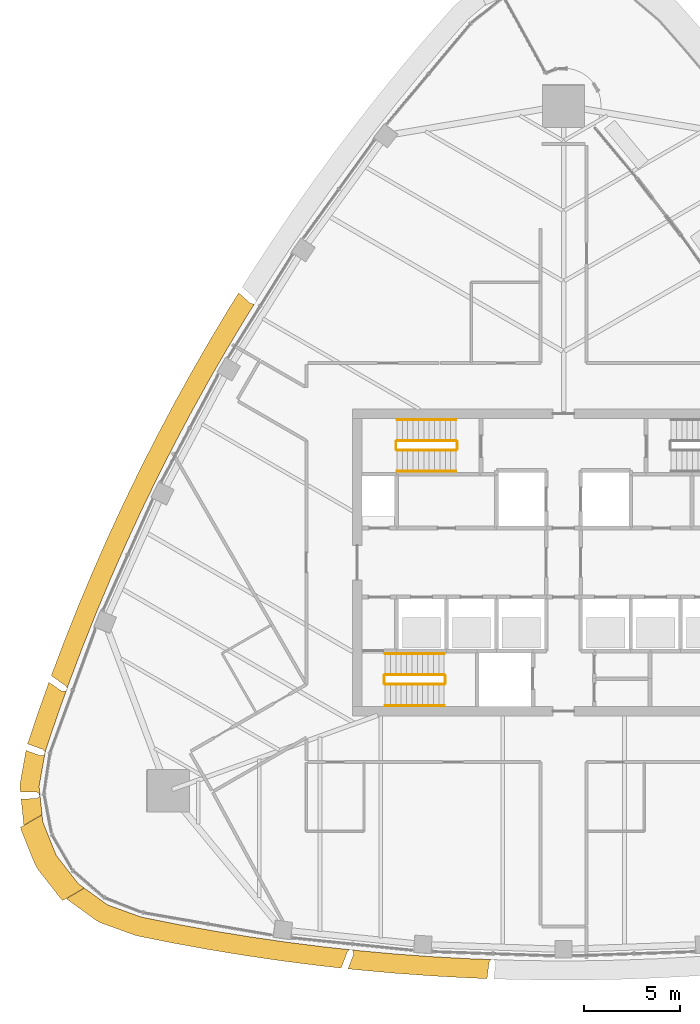
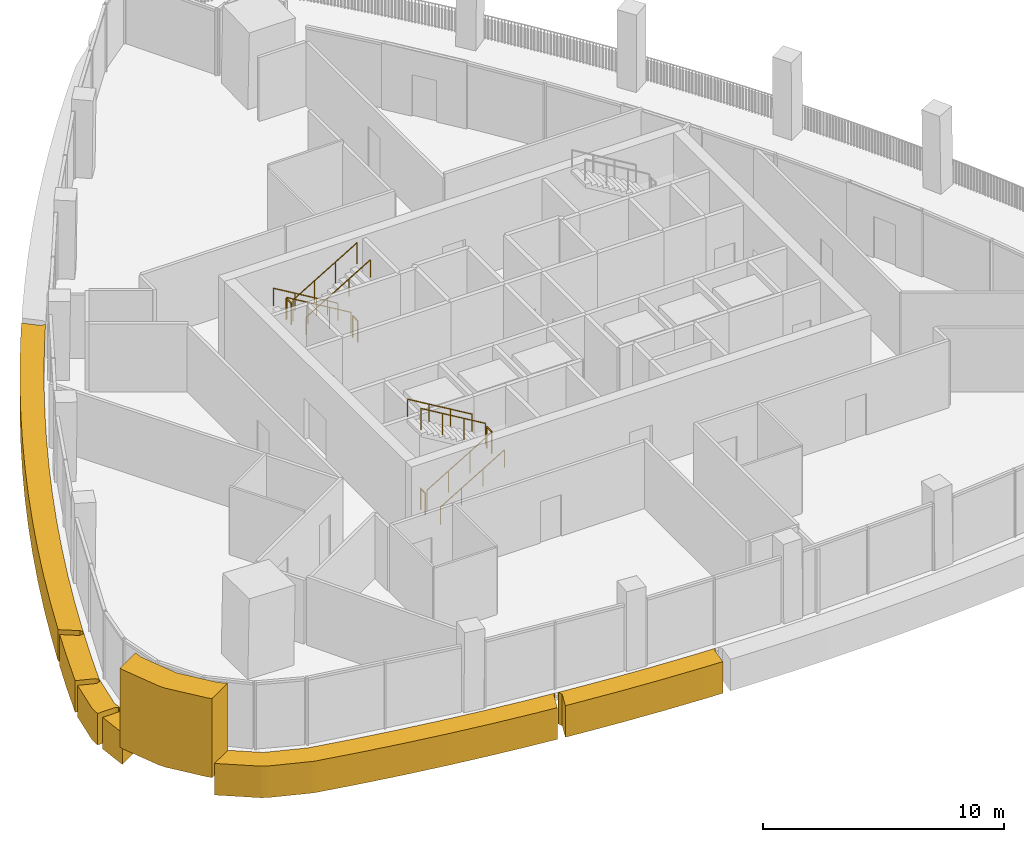
# One storey, part 14 of 18: 12 railings, 4 coverings.
"""IFC4 building model written with IfcOpenShell, lengths in metres."""

from ifc_helpers import new_model, si_unit, direction, frame, origin, origin_2d, place, context, subcontext, project, spatial, polyline, circle, outline, extrude, material, layer, layer_set, type_object, element, save


model = new_model("IFC4")

# Units and contexts
model_context = context("Model", 3, precision=1e-05, world=origin(), true_north=direction((0.0, 1.0)))
body_context = subcontext(model_context, "Body", "Model", "MODEL_VIEW")
ifc_project = project(units=[si_unit("LENGTHUNIT", "METRE"), si_unit("AREAUNIT", "SQUARE_METRE"), si_unit("VOLUMEUNIT", "CUBIC_METRE"), si_unit("PLANEANGLEUNIT", "RADIAN"), si_unit("MASSUNIT", "GRAM", prefix="KILO")], contexts=[model_context])

# Site, building, storey
site_placement = place(None, origin())
site = spatial("IfcSite", under=ifc_project, at=site_placement, CompositionType="ELEMENT")
building_placement = place(site_placement, origin())
building = spatial("IfcBuilding", under=site, at=building_placement, Name="Sierra Prisma Convention Tower", CompositionType="ELEMENT")
storey_placement = place(building_placement, frame((0.0, 0.0, 291.0)))
storey = spatial("IfcBuildingStorey", under=building, at=storey_placement, Name="L66", CompositionType="ELEMENT", Elevation=291.0)

# Coverings
ifc_material_1 = material(Name="Aluminium composite bronze anodised", Category="aluminium")
ifc_layer_1 = layer(ifc_material_1, 1.199951171875)
ifc_layer_set_1 = layer_set([ifc_layer_1], Name="Bronze corner pier")
covering_type_1 = type_object("IfcCoveringType", Name="Bronze corner pier", PredefinedType="CLADDING", material=ifc_layer_set_1)
covering_1_placement = place(storey_placement, frame((0.0, 0.0, -0.60009765625)))
element("IfcCovering", 1, at=covering_1_placement, inside=storey, type_object=covering_type_1, Name="Corner pier SW L66.1", PredefinedType="CLADDING", context=body_context, shape_type="SweptSolid", body=[
    extrude(outline(polyline([(-26.095458984375, -17.6064453125), (-26.226806640625, -17.47998046875), (-27.382080078125, -16.002685546875), (-27.5498046875, -15.71240234375), (-28.25146484375, -13.97314453125), (-28.29541015625, -13.7958984375), (-27.17724609375, -13.150390625), (-27.138671875, -13.524169921875), (-26.43701171875, -15.26318359375), (-25.281494140625, -16.740478515625), (-24.977294921875, -16.9609375), (-26.095458984375, -17.6064453125)])), origin(), (0.0, 0.0, 1.0), 4.0),
])
ifc_material_2 = material(Name="Aluminium composite bronze anodised", Category="aluminium")
ifc_layer_2 = layer(ifc_material_2, 1.0)
ifc_layer_set_2 = layer_set([ifc_layer_2], Name="Bronze spandrel band")
covering_type_2 = type_object("IfcCoveringType", Name="Bronze spandrel band", PredefinedType="CLADDING", material=ifc_layer_set_2)
covering_2_placement = place(storey_placement, frame((0.0, 0.0, -1.60009765625)))
element("IfcCovering", 2, at=covering_2_placement, inside=storey, type_object=covering_type_2, Name="Spandrel band L66.1", PredefinedType="CLADDING", context=body_context, shape_type="SweptSolid", body=[
    extrude(outline(polyline([(-27.260986328125, -10.064697265625), (-27.25634765625, -10.065185546875), (-27.251708984375, -10.065185546875), (-27.2470703125, -10.06494140625), (-27.242431640625, -10.064208984375), (-27.23779296875, -10.06298828125), (-27.08544921875, -10.01611328125), (-27.080810546875, -10.014404296875), (-27.076416015625, -10.01220703125), (-27.072021484375, -10.009521484375), (-27.068115234375, -10.006591796875), (-27.064453125, -10.00341796875), (-27.061279296875, -9.99951171875), (-27.058349609375, -9.99560546875), (-27.055908203125, -9.9912109375), (-27.0537109375, -9.98681640625), (-27.05224609375, -9.98193359375), (-27.051025390625, -9.97705078125), (-27.033447265625, -9.878662109375), (-27.03271484375, -9.87353515625), (-27.03271484375, -9.868408203125), (-27.033203125, -9.86328125), (-27.033935546875, -9.858154296875), (-27.035400390625, -9.853271484375), (-27.03759765625, -9.848388671875), (-27.039794921875, -9.843994140625), (-27.04296875, -9.839599609375), (-27.046142578125, -9.835693359375), (-27.130126953125, -9.746337890625), (-27.13330078125, -9.7431640625), (-27.136962890625, -9.740234375), (-27.140869140625, -9.73779296875), (-27.14501953125, -9.735595703125), (-27.1494140625, -9.733642578125), (-27.933349609375, -9.446044921875), (-27.331787109375, -7.6669921875), (-27.325927734375, -7.650146484375), (-26.81982421875, -6.23779296875), (-26.155517578125, -6.697998046875), (-26.1513671875, -6.70068359375), (-26.14697265625, -6.702880859375), (-26.142333984375, -6.70458984375), (-26.137451171875, -6.7060546875), (-26.132568359375, -6.706787109375), (-26.127685546875, -6.70703125), (-26.12255859375, -6.706787109375), (-25.955322265625, -6.691650390625), (-25.95068359375, -6.69091796875), (-25.946044921875, -6.68994140625), (-25.941650390625, -6.6884765625), (-25.937255859375, -6.6865234375), (-25.93310546875, -6.68408203125), (-25.92919921875, -6.681396484375), (-25.92578125, -6.67822265625), (-25.92236328125, -6.6748046875), (-25.91943359375, -6.671142578125), (-25.916748046875, -6.667236328125), (-25.91455078125, -6.6630859375), (-25.912841796875, -6.65869140625), (-25.879150390625, -6.564697265625), (-25.877685546875, -6.559814453125), (-25.876708984375, -6.554931640625), (-25.876220703125, -6.550048828125), (-25.876220703125, -6.545166015625), (-25.876708984375, -6.540283203125), (-25.877685546875, -6.535400390625), (-25.879150390625, -6.530517578125), (-25.881103515625, -6.52587890625), (-25.88330078125, -6.521728515625), (-25.942138671875, -6.425537109375), (-25.945068359375, -6.421142578125), (-25.948486328125, -6.417236328125), (-25.9521484375, -6.41357421875), (-25.956298828125, -6.410400390625), (-26.697509765625, -5.896728515625), (-26.676025390625, -5.83642578125), (-26.669921875, -5.819580078125), (-25.987548828125, -4.017822265625), (-25.98095703125, -4.001220703125), (-25.2666015625, -2.212158203125), (-25.259765625, -2.1953125), (-24.51318359375, -0.41943359375), (-24.506103515625, -0.40283203125), (-23.727783203125, 1.359619140625), (-23.720458984375, 1.375732421875), (-22.910400390625, 3.123779296875), (-22.90283203125, 3.14013671875), (-22.061767578125, 4.873291015625), (-22.0537109375, 4.889404296875), (-21.181640625, 6.607421875), (-21.173583984375, 6.623291015625), (-20.270751953125, 8.3251953125), (-20.26220703125, 8.341064453125), (-19.3291015625, 10.026611328125), (-19.320068359375, 10.042236328125), (-18.35693359375, 11.710693359375), (-18.34765625, 11.72607421875), (-17.354736328125, 13.376953125), (-17.34521484375, 13.392333984375), (-16.929931640625, 14.055419921875), (-16.32421875, 13.5087890625), (-16.320556640625, 13.505859375), (-16.316650390625, 13.503173828125), (-16.312744140625, 13.5009765625), (-16.308349609375, 13.4990234375), (-16.303955078125, 13.497802734375), (-16.29931640625, 13.49658203125), (-16.294921875, 13.49609375), (-16.135986328125, 13.48291015625), (-16.131103515625, 13.482666015625), (-16.1259765625, 13.48291015625), (-16.12109375, 13.48388671875), (-16.1162109375, 13.485107421875), (-16.11181640625, 13.48681640625), (-16.107177734375, 13.489013671875), (-16.10302734375, 13.49169921875), (-16.497802734375, 12.861572265625), (-17.49072265625, 11.210693359375), (-18.4541015625, 9.542236328125), (-19.38720703125, 7.856689453125), (-20.2900390625, 6.15478515625), (-21.162109375, 4.436767578125), (-22.003173828125, 2.70361328125), (-22.81298828125, 0.95556640625), (-23.59130859375, -0.806884765625), (-24.337890625, -2.5830078125), (-25.052490234375, -4.3720703125), (-25.734619140625, -6.173828125), (-26.384521484375, -7.987548828125), (-27.001708984375, -9.8125), (-27.331787109375, -11.65869140625), (-27.178466796875, -13.1396484375), (-28.119384765625, -13.682861328125), (-28.13330078125, -13.627197265625), (-28.269287109375, -12.314208984375), (-27.490478515625, -12.302001953125), (-27.4853515625, -12.301513671875), (-27.48046875, -12.30078125), (-27.4755859375, -12.29931640625), (-27.470947265625, -12.297607421875), (-27.46630859375, -12.29541015625), (-27.462158203125, -12.29248046875), (-27.339599609375, -12.204833984375), (-27.3359375, -12.201904296875), (-27.33251953125, -12.19873046875), (-27.329345703125, -12.195068359375), (-27.326416015625, -12.191162109375), (-27.32421875, -12.18701171875), (-27.322265625, -12.1826171875), (-27.320556640625, -12.177978515625), (-27.319580078125, -12.17333984375), (-27.31884765625, -12.168701171875), (-27.318603515625, -12.163818359375), (-27.319091796875, -12.1591796875), (-27.329345703125, -12.0595703125), (-27.330078125, -12.0546875), (-27.331298828125, -12.050048828125), (-27.332763671875, -12.045654296875), (-27.3349609375, -12.041259765625), (-27.33740234375, -12.037109375), (-27.34033203125, -12.033203125), (-27.343505859375, -12.029541015625), (-27.34716796875, -12.026123046875), (-27.35107421875, -12.023193359375), (-27.355224609375, -12.020751953125), (-27.471435546875, -11.9580078125), (-27.47607421875, -11.955810546875), (-27.480712890625, -11.9541015625), (-27.48583984375, -11.952880859375), (-27.490966796875, -11.9521484375), (-27.49609375, -11.951904296875), (-28.305419921875, -11.96484375), (-28.326416015625, -11.76171875), (-28.316162109375, -11.482666015625), (-28.013427734375, -9.789306640625), (-27.269775390625, -10.062255859375), (-27.265380859375, -10.063720703125), (-27.260986328125, -10.064697265625)])), origin(), (0.0, 0.0, 1.0), 1.60009765625),
])
covering_3_placement = place(storey_placement, frame((0.0, 0.0, -1.60009765625)))
element("IfcCovering", 3, at=covering_3_placement, inside=storey, type_object=covering_type_2, Name="Spandrel band L66.2", PredefinedType="CLADDING", context=body_context, shape_type="SweptSolid", body=[
    extrude(outline(polyline([(-21.998779296875, -18.477783203125), (-20.109619140625, -18.85595703125), (-18.214111328125, -19.199951171875), (-16.3125, -19.510009765625), (-14.40576171875, -19.78564453125), (-12.494384765625, -20.027099609375), (-11.145263671875, -20.173095703125), (-11.14892578125, -20.173583984375), (-11.15380859375, -20.1748046875), (-11.158447265625, -20.176513671875), (-11.1630859375, -20.1787109375), (-11.167236328125, -20.18115234375), (-11.17138671875, -20.18408203125), (-11.1748046875, -20.1875), (-11.254638671875, -20.266845703125), (-11.25830078125, -20.270751953125), (-11.26123046875, -20.27490234375), (-11.263916015625, -20.279541015625), (-11.26611328125, -20.2841796875), (-11.59375, -21.130615234375), (-12.60205078125, -21.021484375), (-12.619873046875, -21.019287109375), (-14.53125, -20.77783203125), (-14.548828125, -20.775390625), (-16.455810546875, -20.49951171875), (-16.473388671875, -20.496826171875), (-18.375, -20.18701171875), (-18.392578125, -20.183837890625), (-20.2880859375, -19.83984375), (-20.305908203125, -19.83642578125), (-22.19482421875, -19.45849609375), (-22.33837890625, -19.41845703125), (-24.102294921875, -18.78125), (-24.34912109375, -18.650634765625), (-25.8681640625, -17.550537109375), (-25.909423828125, -17.5107421875), (-24.968505859375, -16.96728515625), (-23.7626953125, -17.8408203125), (-21.998779296875, -18.477783203125)])), origin(), (0.0, 0.0, 1.0), 1.60009765625),
])
covering_4_placement = place(storey_placement, frame((0.0, 0.0, -1.60009765625)))
element("IfcCovering", 4, at=covering_4_placement, inside=storey, type_object=covering_type_2, Name="Spandrel band L66.6", PredefinedType="CLADDING", context=body_context, shape_type="SweptSolid", body=[
    extrude(outline(polyline([(-10.93701171875, -20.401123046875), (-10.936279296875, -20.39599609375), (-10.936279296875, -20.39111328125), (-10.936767578125, -20.38623046875), (-10.9375, -20.38134765625), (-10.93896484375, -20.37646484375), (-10.992919921875, -20.21728515625), (-10.99462890625, -20.212890625), (-10.99658203125, -20.208740234375), (-10.999267578125, -20.204833984375), (-11.002197265625, -20.201171875), (-11.00537109375, -20.197509765625), (-11.0087890625, -20.194580078125), (-11.0126953125, -20.191650390625), (-11.016845703125, -20.189208984375), (-11.02099609375, -20.187255859375), (-11.024169921875, -20.186279296875), (-10.5791015625, -20.234375), (-8.66015625, -20.406982421875), (-6.738525390625, -20.54541015625), (-4.81494140625, -20.649169921875), (-3.771484375, -20.6865234375), (-3.775390625, -20.688232421875), (-3.779541015625, -20.6904296875), (-3.78369140625, -20.693359375), (-3.787353515625, -20.6962890625), (-3.790771484375, -20.69970703125), (-3.7939453125, -20.70361328125), (-3.872314453125, -20.809814453125), (-3.875, -20.814208984375), (-3.87744140625, -20.81884765625), (-3.87939453125, -20.823486328125), (-3.880859375, -20.828369140625), (-3.881591796875, -20.83349609375), (-3.986328125, -21.679443359375), (-4.850830078125, -21.6484375), (-4.86865234375, -21.647705078125), (-6.79248046875, -21.5439453125), (-6.810302734375, -21.542724609375), (-8.73193359375, -21.404541015625), (-8.75, -21.403076171875), (-10.668701171875, -21.230224609375), (-10.6865234375, -21.228515625), (-11.2333984375, -21.16943359375), (-10.939697265625, -20.41064453125), (-10.93798828125, -20.406005859375), (-10.93701171875, -20.401123046875)])), origin(), (0.0, 0.0, 1.0), 1.60009765625),
])

# Railings
ifc_material_3 = material(Name="Stainless steel", Category="steel")
railing_type_1 = type_object("IfcRailingType", Name="Exit stair handrail", PredefinedType="HANDRAIL", material=ifc_material_3)
railing_1_placement = place(storey_placement, frame((-9.300048828125, -7.449951171875, 0.166748046875)))
element("IfcRailing", 5, at=railing_1_placement, inside=storey, type_object=railing_type_1, Name="L66 S1 stair handrail 1", PredefinedType="HANDRAIL", context=body_context, shape_type="SweptSolid", body=[
    extrude(circle(Radius=0.02392578125, at=origin_2d()), frame((0.0, 0.0, 0.8759765625), z_axis=(0.859308565015, 0.0, 0.511457515432), x_axis=(0.0, 1.0, 0.0)), (0.0, 0.0, 1.0), 3.58447265625),
    extrude(circle(Radius=0.02099609375, at=origin_2d()), origin(), (0.0, 0.0, 1.0), 0.851806640625),
    extrude(circle(Radius=0.02099609375, at=origin_2d()), frame((1.026611328125, 0.0, 0.611083984375)), (0.0, 0.0, 1.0), 0.851806640625),
    extrude(circle(Radius=0.02099609375, at=origin_2d()), frame((2.053466796875, 0.0, 1.22216796875)), (0.0, 0.0, 1.0), 0.851806640625),
    extrude(circle(Radius=0.02099609375, at=origin_2d()), frame((3.080078125, 0.0, 1.833251953125)), (0.0, 0.0, 1.0), 0.851806640625),
])
railing_2_placement = place(storey_placement, frame((-6.219970703125, -4.75, 2.166748046875)))
element("IfcRailing", 6, at=railing_2_placement, inside=storey, type_object=railing_type_1, Name="L66 S1 stair handrail 2", PredefinedType="HANDRAIL", context=body_context, shape_type="SweptSolid", body=[
    extrude(circle(Radius=0.02392578125, at=origin_2d()), frame((0.0, 0.0, 0.8759765625), z_axis=(-0.859308565015, 0.0, 0.511457515432), x_axis=(0.0, -1.0, 0.0)), (0.0, 0.0, 1.0), 3.58447265625),
    extrude(circle(Radius=0.02099609375, at=origin_2d()), origin(), (0.0, 0.0, 1.0), 0.851806640625),
    extrude(circle(Radius=0.02099609375, at=origin_2d()), frame((-1.026611328125, 0.0, 0.611083984375)), (0.0, 0.0, 1.0), 0.851806640625),
    extrude(circle(Radius=0.02099609375, at=origin_2d()), frame((-2.053466796875, 0.0, 1.22216796875)), (0.0, 0.0, 1.0), 0.851806640625),
    extrude(circle(Radius=0.02099609375, at=origin_2d()), frame((-3.080078125, 0.0, 1.833251953125)), (0.0, 0.0, 1.0), 0.851806640625),
])
railing_3_placement = place(storey_placement, frame((-5.60009765625, 7.449951171875, 0.166748046875)))
element("IfcRailing", 7, at=railing_3_placement, inside=storey, type_object=railing_type_1, Name="L66 S3 stair handrail 1", PredefinedType="HANDRAIL", context=body_context, shape_type="SweptSolid", body=[
    extrude(circle(Radius=0.02392578125, at=origin_2d()), frame((0.0, 0.0, 0.8759765625), z_axis=(-0.859290745958, 0.0, 0.51148745235), x_axis=(0.0, -1.0, 0.0)), (0.0, 0.0, 1.0), 3.584228515625),
    extrude(circle(Radius=0.02099609375, at=origin_2d()), origin(), (0.0, 0.0, 1.0), 0.851806640625),
    extrude(circle(Radius=0.02099609375, at=origin_2d()), frame((-1.026611328125, 0.0, 0.611083984375)), (0.0, 0.0, 1.0), 0.851806640625),
    extrude(circle(Radius=0.02099609375, at=origin_2d()), frame((-2.05322265625, 0.0, 1.22216796875)), (0.0, 0.0, 1.0), 0.851806640625),
    extrude(circle(Radius=0.02099609375, at=origin_2d()), frame((-3.079833984375, 0.0, 1.833251953125)), (0.0, 0.0, 1.0), 0.851806640625),
])
railing_4_placement = place(storey_placement, frame((-8.679931640625, 4.75, 2.166748046875)))
element("IfcRailing", 8, at=railing_4_placement, inside=storey, type_object=railing_type_1, Name="L66 S3 stair handrail 2", PredefinedType="HANDRAIL", context=body_context, shape_type="SweptSolid", body=[
    extrude(circle(Radius=0.02392578125, at=origin_2d()), frame((0.0, 0.0, 0.8759765625), z_axis=(0.859290745958, 0.0, 0.51148745235), x_axis=(0.0, 1.0, 0.0)), (0.0, 0.0, 1.0), 3.584228515625),
    extrude(circle(Radius=0.02099609375, at=origin_2d()), origin(), (0.0, 0.0, 1.0), 0.851806640625),
    extrude(circle(Radius=0.02099609375, at=origin_2d()), frame((1.026611328125, 0.0, 0.611083984375)), (0.0, 0.0, 1.0), 0.851806640625),
    extrude(circle(Radius=0.02099609375, at=origin_2d()), frame((2.05322265625, 0.0, 1.22216796875)), (0.0, 0.0, 1.0), 0.851806640625),
    extrude(circle(Radius=0.02099609375, at=origin_2d()), frame((3.079833984375, 0.0, 1.833251953125)), (0.0, 0.0, 1.0), 0.851806640625),
])
ifc_material_4 = material(Name="Stainless steel", Category="steel")
railing_type_2 = type_object("IfcRailingType", Name="Stair guard 1100", PredefinedType="GUARDRAIL", material=ifc_material_4)
railing_5_placement = place(storey_placement, frame((-9.300048828125, -6.35009765625, 0.166748046875)))
element("IfcRailing", 9, at=railing_5_placement, inside=storey, type_object=railing_type_2, Name="L66 S1 stair guard 1", PredefinedType="GUARDRAIL", context=body_context, shape_type="SweptSolid", body=[
    extrude(circle(Radius=0.02392578125, at=origin_2d()), frame((0.0, 0.0, 1.076171875), z_axis=(0.859308565015, 0.0, 0.511457515432), x_axis=(0.0, 1.0, 0.0)), (0.0, 0.0, 1.0), 3.58447265625),
    extrude(circle(Radius=0.02099609375, at=origin_2d()), origin(), (0.0, 0.0, 1.0), 1.052001953125),
    extrude(circle(Radius=0.02099609375, at=origin_2d()), frame((1.026611328125, 0.0, 0.611083984375)), (0.0, 0.0, 1.0), 1.052001953125),
    extrude(circle(Radius=0.02099609375, at=origin_2d()), frame((2.053466796875, 0.0, 1.22216796875)), (0.0, 0.0, 1.0), 1.052001953125),
    extrude(circle(Radius=0.02099609375, at=origin_2d()), frame((3.080078125, 0.0, 1.833251953125)), (0.0, 0.0, 1.0), 1.052001953125),
])
railing_6_placement = place(storey_placement, frame((-6.169921875, -6.300048828125, 2.0)))
element("IfcRailing", 10, at=railing_6_placement, inside=storey, type_object=railing_type_2, Name="L66 S1 stair guard 2", PredefinedType="GUARDRAIL", context=body_context, shape_type="SweptSolid", body=[
    extrude(circle(Radius=0.02392578125, at=origin_2d()), frame((0.0, 0.0, 1.076171875), z_axis=(0.0, 1.0, 0.0), x_axis=(-1.0, 0.0, 0.0)), (0.0, 0.0, 1.0), 0.400146484375),
    extrude(circle(Radius=0.02099609375, at=origin_2d()), origin(), (0.0, 0.0, 1.0), 1.052001953125),
    extrude(circle(Radius=0.02099609375, at=origin_2d()), frame((0.0, 0.400146484375, 0.0)), (0.0, 0.0, 1.0), 1.052001953125),
])
railing_7_placement = place(storey_placement, frame((-6.219970703125, -5.85009765625, 2.166748046875)))
element("IfcRailing", 11, at=railing_7_placement, inside=storey, type_object=railing_type_2, Name="L66 S1 stair guard 3", PredefinedType="GUARDRAIL", context=body_context, shape_type="SweptSolid", body=[
    extrude(circle(Radius=0.02392578125, at=origin_2d()), frame((0.0, 0.0, 1.076171875), z_axis=(-0.859308565015, 0.0, 0.511457515432), x_axis=(0.0, -1.0, 0.0)), (0.0, 0.0, 1.0), 3.58447265625),
    extrude(circle(Radius=0.02099609375, at=origin_2d()), origin(), (0.0, 0.0, 1.0), 1.052001953125),
    extrude(circle(Radius=0.02099609375, at=origin_2d()), frame((-1.026611328125, 0.0, 0.611083984375)), (0.0, 0.0, 1.0), 1.052001953125),
    extrude(circle(Radius=0.02099609375, at=origin_2d()), frame((-2.053466796875, 0.0, 1.22216796875)), (0.0, 0.0, 1.0), 1.052001953125),
    extrude(circle(Radius=0.02099609375, at=origin_2d()), frame((-3.080078125, 0.0, 1.833251953125)), (0.0, 0.0, 1.0), 1.052001953125),
])
railing_8_placement = place(storey_placement, frame((-9.35009765625, -6.300048828125, 0.0)))
element("IfcRailing", 12, at=railing_8_placement, inside=storey, type_object=railing_type_2, Name="L66 S1 stair guard 4", PredefinedType="GUARDRAIL", context=body_context, shape_type="SweptSolid", body=[
    extrude(circle(Radius=0.02392578125, at=origin_2d()), frame((0.0, 0.0, 1.076171875), z_axis=(0.0, 1.0, 0.0), x_axis=(-1.0, 0.0, 0.0)), (0.0, 0.0, 1.0), 0.400146484375),
    extrude(circle(Radius=0.02099609375, at=origin_2d()), origin(), (0.0, 0.0, 1.0), 1.052001953125),
    extrude(circle(Radius=0.02099609375, at=origin_2d()), frame((0.0, 0.400146484375, 0.0)), (0.0, 0.0, 1.0), 1.052001953125),
])
railing_9_placement = place(storey_placement, frame((-5.60009765625, 6.35009765625, 0.166748046875)))
element("IfcRailing", 13, at=railing_9_placement, inside=storey, type_object=railing_type_2, Name="L66 S3 stair guard 1", PredefinedType="GUARDRAIL", context=body_context, shape_type="SweptSolid", body=[
    extrude(circle(Radius=0.02392578125, at=origin_2d()), frame((0.0, 0.0, 1.076171875), z_axis=(-0.859290745958, 0.0, 0.51148745235), x_axis=(0.0, -1.0, 0.0)), (0.0, 0.0, 1.0), 3.584228515625),
    extrude(circle(Radius=0.02099609375, at=origin_2d()), origin(), (0.0, 0.0, 1.0), 1.052001953125),
    extrude(circle(Radius=0.02099609375, at=origin_2d()), frame((-1.026611328125, 0.0, 0.611083984375)), (0.0, 0.0, 1.0), 1.052001953125),
    extrude(circle(Radius=0.02099609375, at=origin_2d()), frame((-2.05322265625, 0.0, 1.22216796875)), (0.0, 0.0, 1.0), 1.052001953125),
    extrude(circle(Radius=0.02099609375, at=origin_2d()), frame((-3.079833984375, 0.0, 1.833251953125)), (0.0, 0.0, 1.0), 1.052001953125),
])
railing_10_placement = place(storey_placement, frame((-8.72998046875, 6.300048828125, 2.0)))
element("IfcRailing", 14, at=railing_10_placement, inside=storey, type_object=railing_type_2, Name="L66 S3 stair guard 2", PredefinedType="GUARDRAIL", context=body_context, shape_type="SweptSolid", body=[
    extrude(circle(Radius=0.02392578125, at=origin_2d()), frame((0.0, 0.0, 1.076171875), z_axis=(0.0, -1.0, 0.0), x_axis=(1.0, 0.0, 0.0)), (0.0, 0.0, 1.0), 0.400146484375),
    extrude(circle(Radius=0.02099609375, at=origin_2d()), origin(), (0.0, 0.0, 1.0), 1.052001953125),
    extrude(circle(Radius=0.02099609375, at=origin_2d()), frame((0.0, -0.400146484375, 0.0)), (0.0, 0.0, 1.0), 1.052001953125),
])
railing_11_placement = place(storey_placement, frame((-8.679931640625, 5.85009765625, 2.166748046875)))
element("IfcRailing", 15, at=railing_11_placement, inside=storey, type_object=railing_type_2, Name="L66 S3 stair guard 3", PredefinedType="GUARDRAIL", context=body_context, shape_type="SweptSolid", body=[
    extrude(circle(Radius=0.02392578125, at=origin_2d()), frame((0.0, 0.0, 1.076171875), z_axis=(0.859290745958, 0.0, 0.51148745235), x_axis=(0.0, 1.0, 0.0)), (0.0, 0.0, 1.0), 3.584228515625),
    extrude(circle(Radius=0.02099609375, at=origin_2d()), origin(), (0.0, 0.0, 1.0), 1.052001953125),
    extrude(circle(Radius=0.02099609375, at=origin_2d()), frame((1.026611328125, 0.0, 0.611083984375)), (0.0, 0.0, 1.0), 1.052001953125),
    extrude(circle(Radius=0.02099609375, at=origin_2d()), frame((2.05322265625, 0.0, 1.22216796875)), (0.0, 0.0, 1.0), 1.052001953125),
    extrude(circle(Radius=0.02099609375, at=origin_2d()), frame((3.079833984375, 0.0, 1.833251953125)), (0.0, 0.0, 1.0), 1.052001953125),
])
railing_12_placement = place(storey_placement, frame((-5.550048828125, 6.300048828125, 0.0)))
element("IfcRailing", 16, at=railing_12_placement, inside=storey, type_object=railing_type_2, Name="L66 S3 stair guard 4", PredefinedType="GUARDRAIL", context=body_context, shape_type="SweptSolid", body=[
    extrude(circle(Radius=0.02392578125, at=origin_2d()), frame((0.0, 0.0, 1.076171875), z_axis=(0.0, -1.0, 0.0), x_axis=(1.0, 0.0, 0.0)), (0.0, 0.0, 1.0), 0.400146484375),
    extrude(circle(Radius=0.02099609375, at=origin_2d()), origin(), (0.0, 0.0, 1.0), 1.052001953125),
    extrude(circle(Radius=0.02099609375, at=origin_2d()), frame((0.0, -0.400146484375, 0.0)), (0.0, 0.0, 1.0), 1.052001953125),
])

save(model, "model.ifc")
